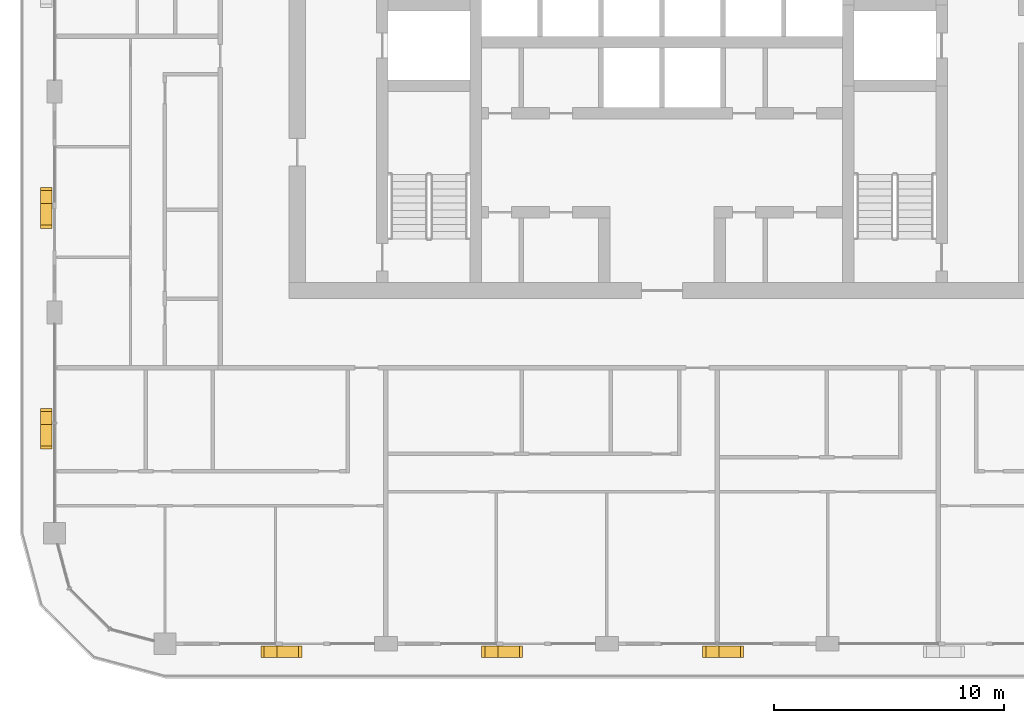
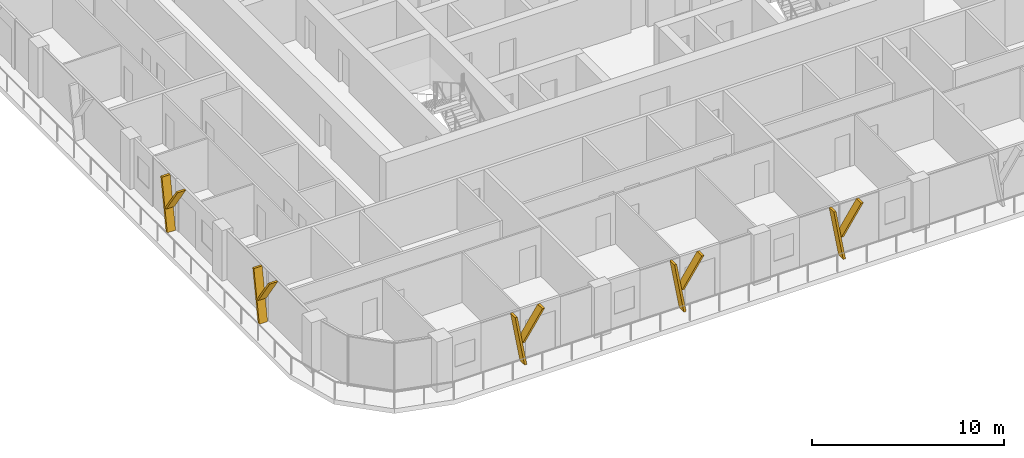
# One storey, part 17 of 22: 10 shading devices.
"""IFC4 building model written with IfcOpenShell, lengths in metres."""

from ifc_helpers import new_model, si_unit, direction, frame, origin, place, context, subcontext, project, spatial, polyline, outline, extrude, material, type_object, element, save


model = new_model("IFC4")

# Units and contexts
model_context = context("Model", 3, precision=1e-05, world=origin(), true_north=direction((0.0, 1.0)))
body_context = subcontext(model_context, "Body", "Model", "MODEL_VIEW")
ifc_project = project(units=[si_unit("LENGTHUNIT", "METRE"), si_unit("AREAUNIT", "SQUARE_METRE"), si_unit("VOLUMEUNIT", "CUBIC_METRE"), si_unit("PLANEANGLEUNIT", "RADIAN"), si_unit("MASSUNIT", "GRAM", prefix="KILO")], contexts=[model_context])

# Site, building, storey
site_placement = place(None, origin())
site = spatial("IfcSite", under=ifc_project, at=site_placement, CompositionType="ELEMENT")
building_placement = place(site_placement, origin())
building = spatial("IfcBuilding", under=site, at=building_placement, Name="Madar Terraces", CompositionType="ELEMENT")
storey_placement = place(building_placement, frame((0.0, 0.0, 178.89990234375)))
storey = spatial("IfcBuildingStorey", under=building, at=storey_placement, Name="L46", CompositionType="ELEMENT", Elevation=178.89990234375)

# Shading devices
ifc_material = material(Name="Aluminium, black anodised", Category="aluminium")
shading_device_type = type_object("IfcShadingDeviceType", Name="Facade fin blade 140 x 500", PredefinedType="USERDEFINED", material=ifc_material)
shading_device_1_placement = place(storey_placement, frame((14.330078125, -0.35009765625, 0.0), z_axis=(0.0, 0.0, 1.0), x_axis=(1.0, 0.0, 0.0)))
element("IfcShadingDevice", 1, at=shading_device_1_placement, inside=storey, type_object=shading_device_type, Name="FIN L46 S1", ObjectType="FIN", PredefinedType="USERDEFINED", context=body_context, shape_type="SweptSolid", body=[
    extrude(outline(polyline([(0.0, 0.0), (0.139892578125, 0.0), (-0.42431640625, 3.2001953125), (-0.564208984375, 3.2001953125), (0.0, 0.0)])), frame((0.0, 0.25, 0.0), z_axis=(0.0, -1.0, 0.0), x_axis=(1.0, 0.0, 0.0)), (0.0, 0.0, 1.0), 0.5),
])
shading_device_2_placement = place(storey_placement, frame((14.216064453125, -0.35009765625, 1.440185546875), z_axis=(0.0, 0.0, 1.0), x_axis=(1.0, 0.0, 0.0)))
element("IfcShadingDevice", 2, at=shading_device_2_placement, inside=storey, type_object=shading_device_type, Name="FIN L46 S1 branch", ObjectType="FIN", PredefinedType="USERDEFINED", context=body_context, shape_type="SweptSolid", body=[
    extrude(outline(polyline([(0.0, 0.0), (0.14013671875, 0.0), (1.32958984375, 1.760009765625), (1.189697265625, 1.760009765625), (0.0, 0.0)])), frame((0.0, 0.25, 0.0), z_axis=(0.0, -1.0, 0.0), x_axis=(1.0, 0.0, 0.0)), (0.0, 0.0, 1.0), 0.5),
])
shading_device_3_placement = place(storey_placement, frame((23.929931640625, -0.35009765625, 0.0), z_axis=(0.0, 0.0, 1.0), x_axis=(1.0, 0.0, 0.0)))
element("IfcShadingDevice", 3, at=shading_device_3_placement, inside=storey, type_object=shading_device_type, Name="FIN L46 S2", ObjectType="FIN", PredefinedType="USERDEFINED", context=body_context, shape_type="SweptSolid", body=[
    extrude(outline(polyline([(0.0, 0.0), (0.14013671875, 0.0), (-0.42431640625, 3.2001953125), (-0.564208984375, 3.2001953125), (0.0, 0.0)])), frame((0.0, 0.25, 0.0), z_axis=(0.0, -1.0, 0.0), x_axis=(1.0, 0.0, 0.0)), (0.0, 0.0, 1.0), 0.5),
])
shading_device_4_placement = place(storey_placement, frame((23.816162109375, -0.35009765625, 1.440185546875), z_axis=(0.0, 0.0, 1.0), x_axis=(1.0, 0.0, 0.0)))
element("IfcShadingDevice", 4, at=shading_device_4_placement, inside=storey, type_object=shading_device_type, Name="FIN L46 S2 branch", ObjectType="FIN", PredefinedType="USERDEFINED", context=body_context, shape_type="SweptSolid", body=[
    extrude(outline(polyline([(0.0, 0.0), (0.139892578125, 0.0), (1.32958984375, 1.760009765625), (1.189697265625, 1.760009765625), (0.0, 0.0)])), frame((0.0, 0.25, 0.0), z_axis=(0.0, -1.0, 0.0), x_axis=(1.0, 0.0, 0.0)), (0.0, 0.0, 1.0), 0.5),
])
shading_device_5_placement = place(storey_placement, frame((33.530029296875, -0.35009765625, 0.0), z_axis=(0.0, 0.0, 1.0), x_axis=(1.0, 0.0, 0.0)))
element("IfcShadingDevice", 5, at=shading_device_5_placement, inside=storey, type_object=shading_device_type, Name="FIN L46 S3", ObjectType="FIN", PredefinedType="USERDEFINED", context=body_context, shape_type="SweptSolid", body=[
    extrude(outline(polyline([(0.0, 0.0), (0.139892578125, 0.0), (-0.42431640625, 3.2001953125), (-0.564208984375, 3.2001953125), (0.0, 0.0)])), frame((0.0, 0.25, 0.0), z_axis=(0.0, -1.0, 0.0), x_axis=(1.0, 0.0, 0.0)), (0.0, 0.0, 1.0), 0.5),
])
shading_device_6_placement = place(storey_placement, frame((33.416015625, -0.35009765625, 1.440185546875), z_axis=(0.0, 0.0, 1.0), x_axis=(1.0, 0.0, 0.0)))
element("IfcShadingDevice", 6, at=shading_device_6_placement, inside=storey, type_object=shading_device_type, Name="FIN L46 S3 branch", ObjectType="FIN", PredefinedType="USERDEFINED", context=body_context, shape_type="SweptSolid", body=[
    extrude(outline(polyline([(0.0, 0.0), (0.14013671875, 0.0), (1.32958984375, 1.760009765625), (1.189697265625, 1.760009765625), (0.0, 0.0)])), frame((0.0, 0.25, 0.0), z_axis=(0.0, -1.0, 0.0), x_axis=(1.0, 0.0, 0.0)), (0.0, 0.0, 1.0), 0.5),
])
shading_device_7_placement = place(storey_placement, frame((4.449951171875, 19.27001953125, 0.0), z_axis=(0.0, 0.0, 1.0), x_axis=(0.0, -1.0, 0.0)))
element("IfcShadingDevice", 7, at=shading_device_7_placement, inside=storey, type_object=shading_device_type, Name="FIN L46 W3", ObjectType="FIN", PredefinedType="USERDEFINED", context=body_context, shape_type="SweptSolid", body=[
    extrude(outline(polyline([(0.0, 0.0), (0.14013671875, 0.0), (-0.42431640625, 3.2001953125), (-0.564208984375, 3.2001953125), (0.0, 0.0)])), frame((0.0, 0.25, 0.0), z_axis=(0.0, -1.0, 0.0), x_axis=(1.0, 0.0, 0.0)), (0.0, 0.0, 1.0), 0.5),
])
shading_device_8_placement = place(storey_placement, frame((4.449951171875, 19.3837890625, 1.440185546875), z_axis=(0.0, 0.0, 1.0), x_axis=(0.0, -1.0, 0.0)))
element("IfcShadingDevice", 8, at=shading_device_8_placement, inside=storey, type_object=shading_device_type, Name="FIN L46 W3 branch", ObjectType="FIN", PredefinedType="USERDEFINED", context=body_context, shape_type="SweptSolid", body=[
    extrude(outline(polyline([(0.0, 0.0), (0.139892578125, 0.0), (1.32958984375, 1.760009765625), (1.189697265625, 1.760009765625), (0.0, 0.0)])), frame((0.0, 0.25, 0.0), z_axis=(0.0, -1.0, 0.0), x_axis=(1.0, 0.0, 0.0)), (0.0, 0.0, 1.0), 0.5),
])
shading_device_9_placement = place(storey_placement, frame((4.449951171875, 9.669921875, 0.0), z_axis=(0.0, 0.0, 1.0), x_axis=(0.0, -1.0, 0.0)))
element("IfcShadingDevice", 9, at=shading_device_9_placement, inside=storey, type_object=shading_device_type, Name="FIN L46 W4", ObjectType="FIN", PredefinedType="USERDEFINED", context=body_context, shape_type="SweptSolid", body=[
    extrude(outline(polyline([(0.0, 0.0), (0.139892578125, 0.0), (-0.42431640625, 3.2001953125), (-0.564208984375, 3.2001953125), (0.0, 0.0)])), frame((0.0, 0.25, 0.0), z_axis=(0.0, -1.0, 0.0), x_axis=(1.0, 0.0, 0.0)), (0.0, 0.0, 1.0), 0.5),
])
shading_device_10_placement = place(storey_placement, frame((4.449951171875, 9.783935546875, 1.440185546875), z_axis=(0.0, 0.0, 1.0), x_axis=(0.0, -1.0, 0.0)))
element("IfcShadingDevice", 10, at=shading_device_10_placement, inside=storey, type_object=shading_device_type, Name="FIN L46 W4 branch", ObjectType="FIN", PredefinedType="USERDEFINED", context=body_context, shape_type="SweptSolid", body=[
    extrude(outline(polyline([(0.0, 0.0), (0.14013671875, 0.0), (1.32958984375, 1.760009765625), (1.189697265625, 1.760009765625), (0.0, 0.0)])), frame((0.0, 0.25, 0.0), z_axis=(0.0, -1.0, 0.0), x_axis=(1.0, 0.0, 0.0)), (0.0, 0.0, 1.0), 0.5),
])

save(model, "model.ifc")
